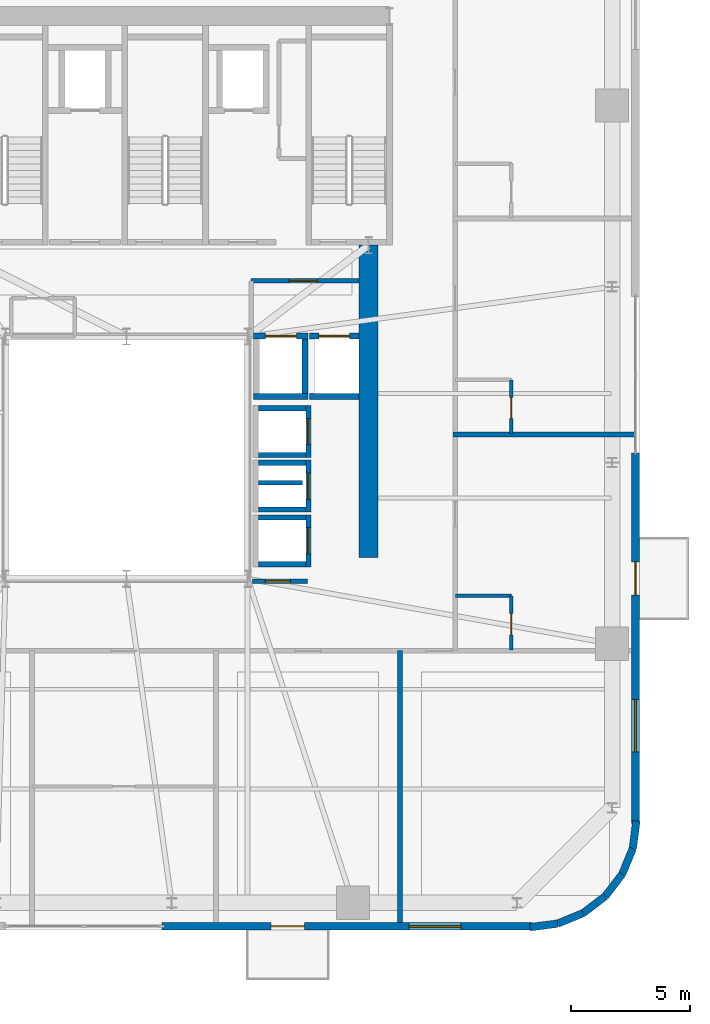
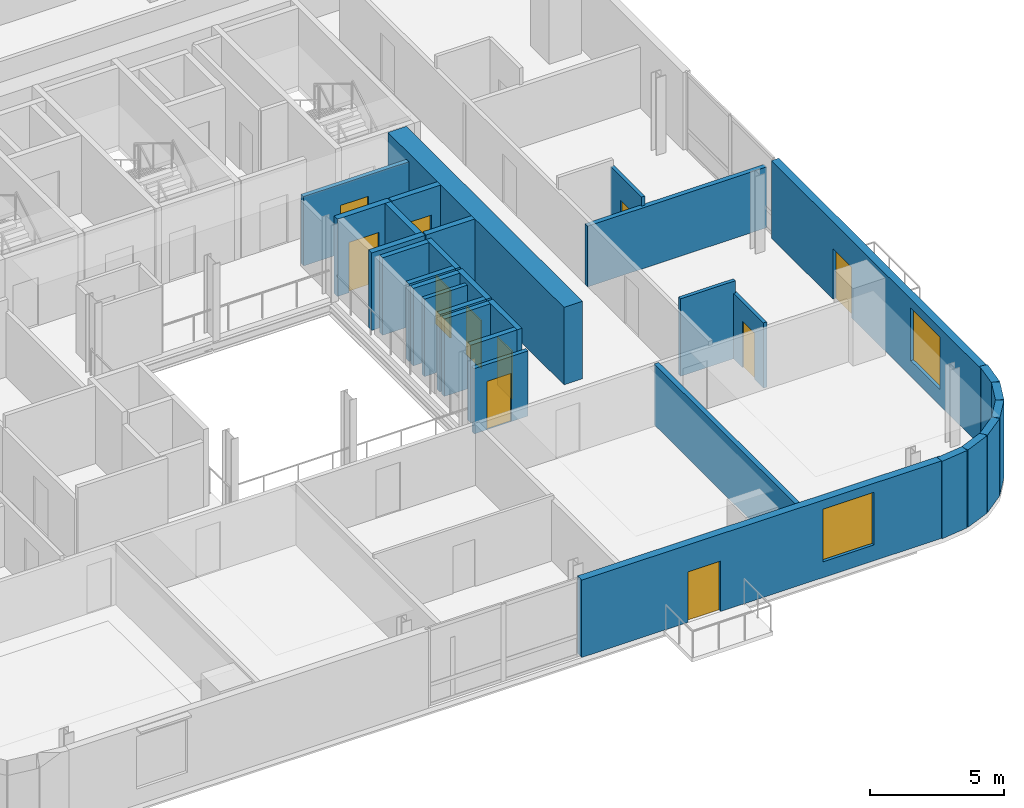
# One storey, part 9 of 16: 31 walls, 11 doors, 2 windows, 13 openings.
"""IFC4 building model written with IfcOpenShell, lengths in metres."""

from ifc_helpers import new_model, si_unit, direction, frame, frame_2d, origin, place, context, subcontext, project, spatial, rectangle, extrude, source, transform, mapped, material, layer, layer_set, type_object, element, fill, save


model = new_model("IFC4")

# Units and contexts
model_context = context("Model", 3, precision=1e-05, world=origin(), true_north=direction((0.0, 1.0)))
body_context = subcontext(model_context, "Body", "Model", "MODEL_VIEW")
ifc_project = project(units=[si_unit("LENGTHUNIT", "METRE"), si_unit("AREAUNIT", "SQUARE_METRE"), si_unit("VOLUMEUNIT", "CUBIC_METRE"), si_unit("PLANEANGLEUNIT", "RADIAN"), si_unit("MASSUNIT", "GRAM", prefix="KILO")], contexts=[model_context])

# Site, building, storey
site_placement = place(None, origin())
site = spatial("IfcSite", under=ifc_project, at=site_placement, CompositionType="ELEMENT")
building_placement = place(site_placement, origin())
building = spatial("IfcBuilding", under=site, at=building_placement, Name="Vardaveli Station Tower", CompositionType="ELEMENT")
storey_placement = place(building_placement, frame((0.0, 0.0, 192.300048828125)))
storey = spatial("IfcBuildingStorey", under=building, at=storey_placement, Name="L49", CompositionType="ELEMENT", Elevation=192.300048828125)

# Wall
ifc_material_1 = material(Name="Concrete C50/60", Category="concrete")
ifc_layer_1 = layer(ifc_material_1, 0.800048828125, Name="Concrete C50/60")
ifc_layer_set_1 = layer_set([ifc_layer_1], Name="Concrete C50/60")
wall_type_1 = type_object("IfcWallType", Name="WAL-CORE-800", PredefinedType="SHEAR", material=ifc_layer_set_1)
shared_shape_1 = source(origin(), body_context, "Body", "SweptSolid", [
    extrude(rectangle(XDim=13.14990234375, YDim=0.800048828125, at=frame_2d((6.574951171875, 0.0))), origin(), (0.0, 0.0, 1.0), 3.530029296875),
])
wall_1_placement = place(storey_placement, frame((46.5, 17.5, 0.0), z_axis=(0.0, 0.0, 1.0), x_axis=(0.0, 1.0, 0.0)))
element("IfcWall", 1, at=wall_1_placement, inside=storey, type_object=wall_type_1, Name="SW-L49-EAST2", PredefinedType="SHEAR", context=body_context, shape_type="MappedRepresentation", body=[
    mapped(shared_shape_1, transform((0.0, 0.0, 0.0), scale=1.0)),
])

# Wall, openings, door, window
ifc_material_2 = material(Name="Precast concrete C45/55", Category="concrete")
ifc_layer_2 = layer(ifc_material_2, 0.320068359375, Name="Precast concrete C45/55")
ifc_layer_set_2 = layer_set([ifc_layer_2], Name="Precast concrete C45/55")
wall_type_2 = type_object("IfcWallType", Name="WAL-EXT-STONE-320", PredefinedType="SOLIDWALL", material=ifc_layer_set_2)
shared_shape_2 = source(origin(), body_context, "Body", "SweptSolid", [
    extrude(rectangle(XDim=15.599853515625, YDim=0.320068359375, at=frame_2d((7.7998046875, 0.0))), origin(), (0.0, 0.0, 1.0), 3.530029296875),
])
wall_2_placement = place(storey_placement, frame((37.800048828125, 1.9599609375, 0.0), z_axis=(0.0, 0.0, 1.0), x_axis=(1.0, 0.0, 0.0)))
wall_2 = element("IfcWall", 2, at=wall_2_placement, inside=storey, type_object=wall_type_2, Name="EW-L49-S2", PredefinedType="SOLIDWALL", context=body_context, shape_type="MappedRepresentation", body=[
    mapped(shared_shape_2, transform((0.0, 0.0, 0.0), scale=1.0)),
])
shared_shape_3 = source(origin(), body_context, "Body", "SweptSolid", [
    extrude(rectangle(XDim=1.39990234375, YDim=2.300048828125, at=frame_2d((0.699951171875, 1.14990234375))), frame((0.0, 0.169921875, 0.0), z_axis=(0.0, -1.0, 0.0), x_axis=(1.0, 0.0, 0.0)), (0.0, 0.0, 1.0), 0.340087890625),
])
opening_1_placement = place(wall_2_placement, frame((4.589599609375, 0.0, 0.0)))
opening_1 = element("IfcOpeningElement", 3, at=opening_1_placement, cuts=wall_2, Name="Opening D-09", PredefinedType="OPENING", context=body_context, shape_type="MappedRepresentation", body=[
    mapped(shared_shape_3, transform((0.0, 0.0, 0.0), scale=1.0)),
])
shared_shape_4 = source(origin(), body_context, "Body", "SweptSolid", [
    extrude(rectangle(XDim=2.199951171875, YDim=2.39990234375, at=frame_2d((1.10009765625, 1.199951171875))), frame((0.0, 0.169921875, 0.0), z_axis=(0.0, -1.0, 0.0), x_axis=(1.0, 0.0, 0.0)), (0.0, 0.0, 1.0), 0.340087890625),
])
opening_2_placement = place(wall_2_placement, frame((10.39501953125, 0.0, 0.719970703125)))
opening_2 = element("IfcOpeningElement", 4, at=opening_2_placement, cuts=wall_2, Name="Opening W-03", PredefinedType="OPENING", context=body_context, shape_type="MappedRepresentation", body=[
    mapped(shared_shape_4, transform((0.0, 0.0, 0.0), scale=1.0)),
])
ifc_material_3 = material(Name="Thermally broken aluminium glass", Category="aluminium")
door_type_1 = type_object("IfcDoorType", Name="DR-LOG-1400x2300", OperationType="DOUBLE_DOOR_SLIDING", PredefinedType="DOOR", material=ifc_material_3)
shared_shape_5 = source(origin(), body_context, "Body", "SweptSolid", [
    extrude(rectangle(XDim=1.39990234375, YDim=2.300048828125, at=frame_2d((0.699951171875, 1.14990234375))), frame((0.0, 0.02490234375, 0.0), z_axis=(0.0, -1.0, 0.0), x_axis=(1.0, 0.0, 0.0)), (0.0, 0.0, 1.0), 0.050048828125),
])
door_1_placement = place(opening_1_placement, frame((1.39990234375, 0.0, 0.0), z_axis=(0.0, 0.0, 1.0), x_axis=(-1.0, 0.0, 0.0)))
door_1 = element("IfcDoor", 5, at=door_1_placement, inside=storey, type_object=door_type_1, Name="DLG-L49-S", OperationType="DOUBLE_DOOR_SLIDING", OverallHeight=2.300048828125, OverallWidth=1.39990234375, PredefinedType="DOOR", context=body_context, shape_type="MappedRepresentation", body=[
    mapped(shared_shape_5, transform((0.0, 0.0, 0.0), scale=1.0)),
])
fill(opening_1, door_1)
ifc_material_4 = material(Name="Low-E solar-control glass", Category="glass")
window_type = type_object("IfcWindowType", Name="WIN-LOG-2200x2400", PartitioningType="SINGLE_PANEL", PredefinedType="WINDOW", material=ifc_material_4)
shared_shape_6 = source(origin(), body_context, "Body", "SweptSolid", [
    extrude(rectangle(XDim=2.199951171875, YDim=2.39990234375, at=frame_2d((1.10009765625, 1.199951171875))), frame((0.0, 0.030029296875, 0.0), z_axis=(0.0, -1.0, 0.0), x_axis=(1.0, 0.0, 0.0)), (0.0, 0.0, 1.0), 0.06005859375),
])
window_1_placement = place(opening_2_placement, origin())
window_1 = element("IfcWindow", 6, at=window_1_placement, inside=storey, type_object=window_type, Name="WN-L49-S2", OverallHeight=2.39990234375, OverallWidth=2.199951171875, PartitioningType="SINGLE_PANEL", PredefinedType="WINDOW", context=body_context, shape_type="MappedRepresentation", body=[
    mapped(shared_shape_6, transform((0.0, 0.0, 0.0), scale=1.0)),
])
fill(opening_2, window_1)

wall_3_placement = place(storey_placement, frame((57.739990234375, 6.300048828125, 0.0), z_axis=(0.0, 0.0, 1.0), x_axis=(0.0, 1.0, 0.0)))
wall_3 = element("IfcWall", 7, at=wall_3_placement, inside=storey, type_object=wall_type_2, Name="EW-L49-E1", PredefinedType="SOLIDWALL", context=body_context, shape_type="MappedRepresentation", body=[
    mapped(shared_shape_2, transform((0.0, 0.0, 0.0), scale=1.0)),
])
opening_3_placement = place(wall_3_placement, frame((9.6103515625, 0.0, 0.0)))
opening_3 = element("IfcOpeningElement", 8, at=opening_3_placement, cuts=wall_3, Name="Opening D-09", PredefinedType="OPENING", context=body_context, shape_type="MappedRepresentation", body=[
    mapped(shared_shape_3, transform((0.0, 0.0, 0.0), scale=1.0)),
])
opening_4_placement = place(wall_3_placement, frame((3.0048828125, 0.0, 0.719970703125)))
opening_4 = element("IfcOpeningElement", 9, at=opening_4_placement, cuts=wall_3, Name="Opening W-03", PredefinedType="OPENING", context=body_context, shape_type="MappedRepresentation", body=[
    mapped(shared_shape_4, transform((0.0, 0.0, 0.0), scale=1.0)),
])
door_2_placement = place(opening_3_placement, frame((1.39990234375, 0.0, 0.0), z_axis=(0.0, 0.0, 1.0), x_axis=(-1.0, 0.0, 0.0)))
door_2 = element("IfcDoor", 10, at=door_2_placement, inside=storey, type_object=door_type_1, Name="DLG-L49-E", OperationType="DOUBLE_DOOR_SLIDING", OverallHeight=2.300048828125, OverallWidth=1.39990234375, PredefinedType="DOOR", context=body_context, shape_type="MappedRepresentation", body=[
    mapped(shared_shape_5, transform((0.0, 0.0, 0.0), scale=1.0)),
])
fill(opening_3, door_2)
window_2_placement = place(opening_4_placement, origin())
window_2 = element("IfcWindow", 11, at=window_2_placement, inside=storey, type_object=window_type, Name="WN-L49-E1", OverallHeight=2.39990234375, OverallWidth=2.199951171875, PartitioningType="SINGLE_PANEL", PredefinedType="WINDOW", context=body_context, shape_type="MappedRepresentation", body=[
    mapped(shared_shape_6, transform((0.0, 0.0, 0.0), scale=1.0)),
])
fill(opening_4, window_2)

# Walls
shared_shape_7 = source(origin(), body_context, "Body", "SweptSolid", [
    extrude(rectangle(XDim=1.170654296875, YDim=0.320068359375, at=frame_2d((0.58544921875, 0.0))), origin(), (0.0, 0.0, 1.0), 3.530029296875),
])
wall_4_placement = place(storey_placement, frame((57.62548828125, 5.23974609375, 0.0), z_axis=(0.0, 0.0, 1.0), x_axis=(0.128269133229, 0.991739395941, 0.0)))
element("IfcWall", 12, at=wall_4_placement, inside=storey, type_object=wall_type_2, Name="EW-L49-CR2-6", PredefinedType="SOLIDWALL", context=body_context, shape_type="MappedRepresentation", body=[
    mapped(shared_shape_7, transform((0.0, 0.0, 0.0), scale=1.0)),
])
shared_shape_8 = source(origin(), body_context, "Body", "SweptSolid", [
    extrude(rectangle(XDim=1.1689453125, YDim=0.320068359375, at=frame_2d((0.58447265625, 0.0))), origin(), (0.0, 0.0, 1.0), 3.530029296875),
])
for number, where, z_axis, x_axis, name in (
    (13, (56.46875, 3.231201171875, 0.0), (0.0, 0.0, 1.0), (0.608387696831, 0.793639975269, 0.0), "EW-L49-CR2-4"),
    (14, (57.179931640625, 4.158935546875, 0.0), (0.0, 0.0, 1.0), (0.381127904695, 0.924522320046, 0.0), "EW-L49-CR2-5"),
):
    element("IfcWall", number, at=place(storey_placement, frame(where, z_axis=z_axis, x_axis=x_axis)), inside=storey, type_object=wall_type_2, Name=name, PredefinedType="SOLIDWALL", context=body_context, shape_type="MappedRepresentation", body=[
        mapped(shared_shape_8, transform((0.0, 0.0, 0.0), scale=1.0)),
    ])
shared_shape_9 = source(origin(), body_context, "Body", "SweptSolid", [
    extrude(rectangle(XDim=1.168701171875, YDim=0.320068359375, at=frame_2d((0.58447265625, 0.0))), origin(), (0.0, 0.0, 1.0), 3.530029296875),
])
wall_5_placement = place(storey_placement, frame((55.541259765625, 2.520263671875, 0.0), z_axis=(0.0, 0.0, 1.0), x_axis=(0.793663520347, 0.608356981114, 0.0)))
element("IfcWall", 15, at=wall_5_placement, inside=storey, type_object=wall_type_2, Name="EW-L49-CR2-3", PredefinedType="SOLIDWALL", context=body_context, shape_type="MappedRepresentation", body=[
    mapped(shared_shape_9, transform((0.0, 0.0, 0.0), scale=1.0)),
])
shared_shape_10 = source(origin(), body_context, "Body", "SweptSolid", [
    extrude(rectangle(XDim=1.16943359375, YDim=0.320068359375, at=frame_2d((0.584716796875, 0.0))), origin(), (0.0, 0.0, 1.0), 3.530029296875),
])
wall_6_placement = place(storey_placement, frame((54.460205078125, 2.074462890625, 0.0), z_axis=(0.0, 0.0, 1.0), x_axis=(0.924479075121, 0.381232789334, 0.0)))
element("IfcWall", 16, at=wall_6_placement, inside=storey, type_object=wall_type_2, Name="EW-L49-CR2-2", PredefinedType="SOLIDWALL", context=body_context, shape_type="MappedRepresentation", body=[
    mapped(shared_shape_10, transform((0.0, 0.0, 0.0), scale=1.0)),
])
shared_shape_11 = source(origin(), body_context, "Body", "SweptSolid", [
    extrude(rectangle(XDim=1.170166015625, YDim=0.320068359375, at=frame_2d((0.5849609375, 0.0))), origin(), (0.0, 0.0, 1.0), 3.530029296875),
])
wall_7_placement = place(storey_placement, frame((53.299560546875, 1.924560546875, 0.0), z_axis=(0.0, 0.0, 1.0), x_axis=(0.991762485493, 0.128090485085, 0.0)))
element("IfcWall", 17, at=wall_7_placement, inside=storey, type_object=wall_type_2, Name="EW-L49-CR2-1", PredefinedType="SOLIDWALL", context=body_context, shape_type="MappedRepresentation", body=[
    mapped(shared_shape_11, transform((0.0, 0.0, 0.0), scale=1.0)),
])
ifc_material_5 = material(Name="Concrete C40/50", Category="concrete")
ifc_layer_3 = layer(ifc_material_5, 0.219970703125, Name="Concrete C40/50")
ifc_layer_set_3 = layer_set([ifc_layer_3], Name="Concrete C40/50")
wall_type_3 = type_object("IfcWallType", Name="WAL-FFLOBBY-220", PredefinedType="SOLIDWALL", material=ifc_layer_set_3)
shared_shape_12 = source(origin(), body_context, "Body", "SweptSolid", [
    extrude(rectangle(XDim=2.0, YDim=0.219970703125, at=frame_2d((1.0, 0.0))), origin(), (0.0, 0.0, 1.0), 3.530029296875),
])
for number, where, z_axis, x_axis, name in (
    (18, (41.85009765625, 21.81494140625, 0.0), (0.0, 0.0, 1.0), (1.0, 0.0, 0.0), "SHW-HL3-01-L49-S"),
    (19, (41.85009765625, 23.784912109375, 0.0), (0.0, 0.0, 1.0), (1.0, 0.0, 0.0), "SHW-HL3-01-L49-N"),
    (20, (41.85009765625, 19.514892578125, 0.0), (0.0, 0.0, 1.0), (1.0, 0.0, 0.0), "SHW-HL3-02-L49-S"),
    (21, (41.85009765625, 21.485107421875, 0.0), (0.0, 0.0, 1.0), (1.0, 0.0, 0.0), "SHW-HL3-02-L49-N"),
    (22, (41.85009765625, 17.215087890625, 0.0), (0.0, 0.0, 1.0), (1.0, 0.0, 0.0), "SHW-HL3-03-L49-S"),
    (23, (41.85009765625, 19.18505859375, 0.0), (0.0, 0.0, 1.0), (1.0, 0.0, 0.0), "SHW-HL3-03-L49-N"),
):
    element("IfcWall", number, at=place(storey_placement, frame(where, z_axis=z_axis, x_axis=x_axis)), inside=storey, type_object=wall_type_3, Name=name, PredefinedType="SOLIDWALL", context=body_context, shape_type="MappedRepresentation", body=[
        mapped(shared_shape_12, transform((0.0, 0.0, 0.0), scale=1.0)),
    ])

# Wall, opening, door
shared_shape_13 = source(origin(), body_context, "Body", "SweptSolid", [
    extrude(rectangle(XDim=2.18994140625, YDim=0.219970703125, at=frame_2d((1.094970703125, 0.0))), origin(), (0.0, 0.0, 1.0), 3.530029296875),
])
wall_8_placement = place(storey_placement, frame((43.9599609375, 21.705078125, 0.0), z_axis=(0.0, 0.0, 1.0), x_axis=(0.0, 1.0, 0.0)))
wall_8 = element("IfcWall", 24, at=wall_8_placement, inside=storey, type_object=wall_type_3, Name="SHW-HL3-01-L49-E", PredefinedType="SOLIDWALL", context=body_context, shape_type="MappedRepresentation", body=[
    mapped(shared_shape_13, transform((0.0, 0.0, 0.0), scale=1.0)),
])
shared_shape_14 = source(origin(), body_context, "Body", "SweptSolid", [
    extrude(rectangle(XDim=1.10009765625, YDim=2.199951171875, at=frame_2d((0.550048828125, 1.10009765625))), frame((0.0, 0.1201171875, 0.0), z_axis=(0.0, -1.0, 0.0), x_axis=(1.0, 0.0, 0.0)), (0.0, 0.0, 1.0), 0.239990234375),
])
opening_5_placement = place(wall_8_placement, frame((0.544921875, 0.0, 0.0)))
opening_5 = element("IfcOpeningElement", 25, at=opening_5_placement, cuts=wall_8, Name="Opening LD-01", PredefinedType="OPENING", context=body_context, shape_type="MappedRepresentation", body=[
    mapped(shared_shape_14, transform((0.0, 0.0, 0.0), scale=1.0)),
])
ifc_material_6 = material(Name="Brushed stainless steel", Category="steel")
door_type_2 = type_object("IfcDoorType", Name="DR-LD-1100x2200", OperationType="DOUBLE_DOOR_SLIDING", PredefinedType="DOOR", material=ifc_material_6)
shared_shape_15 = source(origin(), body_context, "Body", "SweptSolid", [
    extrude(rectangle(XDim=1.10009765625, YDim=2.199951171875, at=frame_2d((0.550048828125, 1.10009765625))), frame((0.0, 0.02490234375, 0.0), z_axis=(0.0, -1.0, 0.0), x_axis=(1.0, 0.0, 0.0)), (0.0, 0.0, 1.0), 0.050048828125),
])
door_3_placement = place(opening_5_placement, origin())
door_3 = element("IfcDoor", 26, at=door_3_placement, inside=storey, type_object=door_type_2, Name="LD-HL3-01-L49", OperationType="DOUBLE_DOOR_SLIDING", OverallHeight=2.199951171875, OverallWidth=1.10009765625, PredefinedType="DOOR", context=body_context, shape_type="MappedRepresentation", body=[
    mapped(shared_shape_15, transform((0.0, 0.0, 0.0), scale=1.0)),
])
fill(opening_5, door_3)

wall_9_placement = place(storey_placement, frame((43.9599609375, 19.405029296875, 0.0), z_axis=(0.0, 0.0, 1.0), x_axis=(0.0, 1.0, 0.0)))
wall_9 = element("IfcWall", 27, at=wall_9_placement, inside=storey, type_object=wall_type_3, Name="SHW-HL3-02-L49-E", PredefinedType="SOLIDWALL", context=body_context, shape_type="MappedRepresentation", body=[
    mapped(shared_shape_13, transform((0.0, 0.0, 0.0), scale=1.0)),
])
opening_6_placement = place(wall_9_placement, frame((0.544921875, 0.0, 0.0)))
opening_6 = element("IfcOpeningElement", 28, at=opening_6_placement, cuts=wall_9, Name="Opening LD-01", PredefinedType="OPENING", context=body_context, shape_type="MappedRepresentation", body=[
    mapped(shared_shape_14, transform((0.0, 0.0, 0.0), scale=1.0)),
])
door_4_placement = place(opening_6_placement, origin())
door_4 = element("IfcDoor", 29, at=door_4_placement, inside=storey, type_object=door_type_2, Name="LD-HL3-02-L49", OperationType="DOUBLE_DOOR_SLIDING", OverallHeight=2.199951171875, OverallWidth=1.10009765625, PredefinedType="DOOR", context=body_context, shape_type="MappedRepresentation", body=[
    mapped(shared_shape_15, transform((0.0, 0.0, 0.0), scale=1.0)),
])
fill(opening_6, door_4)

wall_10_placement = place(storey_placement, frame((43.9599609375, 17.10498046875, 0.0), z_axis=(0.0, 0.0, 1.0), x_axis=(0.0, 1.0, 0.0)))
wall_10 = element("IfcWall", 30, at=wall_10_placement, inside=storey, type_object=wall_type_3, Name="SHW-HL3-03-L49-E", PredefinedType="SOLIDWALL", context=body_context, shape_type="MappedRepresentation", body=[
    mapped(shared_shape_13, transform((0.0, 0.0, 0.0), scale=1.0)),
])
opening_7_placement = place(wall_10_placement, frame((0.544921875, 0.0, 0.0)))
opening_7 = element("IfcOpeningElement", 31, at=opening_7_placement, cuts=wall_10, Name="Opening LD-01", PredefinedType="OPENING", context=body_context, shape_type="MappedRepresentation", body=[
    mapped(shared_shape_14, transform((0.0, 0.0, 0.0), scale=1.0)),
])
door_5_placement = place(opening_7_placement, origin())
door_5 = element("IfcDoor", 32, at=door_5_placement, inside=storey, type_object=door_type_2, Name="LD-HL3-03-L49", OperationType="DOUBLE_DOOR_SLIDING", OverallHeight=2.199951171875, OverallWidth=1.10009765625, PredefinedType="DOOR", context=body_context, shape_type="MappedRepresentation", body=[
    mapped(shared_shape_15, transform((0.0, 0.0, 0.0), scale=1.0)),
])
fill(opening_7, door_5)

# Wall
ifc_layer_4 = layer(ifc_material_5, 0.25, Name="Concrete C40/50")
ifc_layer_set_4 = layer_set([ifc_layer_4], Name="Concrete C40/50")
wall_type_4 = type_object("IfcWallType", Name="WAL-SHAFT-250", PredefinedType="SOLIDWALL", material=ifc_layer_set_4)
shared_shape_16 = source(origin(), body_context, "Body", "SweptSolid", [
    extrude(rectangle(XDim=2.300048828125, YDim=0.25, at=frame_2d((1.14990234375, 0.0))), origin(), (0.0, 0.0, 1.0), 3.530029296875),
])
wall_11_placement = place(storey_placement, frame((41.64990234375, 24.27490234375, 0.0), z_axis=(0.0, 0.0, 1.0), x_axis=(1.0, 0.0, 0.0)))
element("IfcWall", 33, at=wall_11_placement, inside=storey, type_object=wall_type_4, Name="SHW-SRV-01-L49-S", PredefinedType="SOLIDWALL", context=body_context, shape_type="MappedRepresentation", body=[
    mapped(shared_shape_16, transform((0.0, 0.0, 0.0), scale=1.0)),
])

# Wall, opening, door
wall_12_placement = place(storey_placement, frame((41.64990234375, 26.824951171875, 0.0), z_axis=(0.0, 0.0, 1.0), x_axis=(1.0, 0.0, 0.0)))
wall_12 = element("IfcWall", 34, at=wall_12_placement, inside=storey, type_object=wall_type_4, Name="SHW-SRV-01-L49-N", PredefinedType="SOLIDWALL", context=body_context, shape_type="MappedRepresentation", body=[
    mapped(shared_shape_16, transform((0.0, 0.0, 0.0), scale=1.0)),
])
shared_shape_17 = source(origin(), body_context, "Body", "SweptSolid", [
    extrude(rectangle(XDim=1.300048828125, YDim=2.300048828125, at=frame_2d((0.64990234375, 1.14990234375))), frame((0.0, 0.135009765625, 0.0), z_axis=(0.0, -1.0, 0.0), x_axis=(1.0, 0.0, 0.0)), (0.0, 0.0, 1.0), 0.27001953125),
])
opening_8_placement = place(wall_12_placement, frame((0.5, 0.0, 0.0)))
opening_8 = element("IfcOpeningElement", 35, at=opening_8_placement, cuts=wall_12, Name="Opening LD-03", PredefinedType="OPENING", context=body_context, shape_type="MappedRepresentation", body=[
    mapped(shared_shape_17, transform((0.0, 0.0, 0.0), scale=1.0)),
])
door_type_3 = type_object("IfcDoorType", Name="DR-LD-1300x2300", OperationType="DOUBLE_DOOR_SLIDING", PredefinedType="DOOR", material=ifc_material_6)
shared_shape_18 = source(origin(), body_context, "Body", "SweptSolid", [
    extrude(rectangle(XDim=1.300048828125, YDim=2.300048828125, at=frame_2d((0.64990234375, 1.14990234375))), frame((0.0, 0.02490234375, 0.0), z_axis=(0.0, -1.0, 0.0), x_axis=(1.0, 0.0, 0.0)), (0.0, 0.0, 1.0), 0.050048828125),
])
door_6_placement = place(opening_8_placement, origin())
door_6 = element("IfcDoor", 36, at=door_6_placement, inside=storey, type_object=door_type_3, Name="LD-SRV-01-L49", OperationType="DOUBLE_DOOR_SLIDING", OverallHeight=2.300048828125, OverallWidth=1.300048828125, PredefinedType="DOOR", context=body_context, shape_type="MappedRepresentation", body=[
    mapped(shared_shape_18, transform((0.0, 0.0, 0.0), scale=1.0)),
])
fill(opening_8, door_6)

# Walls
wall_13_placement = place(storey_placement, frame((43.824951171875, 24.39990234375, 0.0), z_axis=(0.0, 0.0, 1.0), x_axis=(0.0, 1.0, 0.0)))
element("IfcWall", 37, at=wall_13_placement, inside=storey, type_object=wall_type_4, Name="SHW-SRV-01-L49-E", PredefinedType="SOLIDWALL", context=body_context, shape_type="MappedRepresentation", body=[
    mapped(shared_shape_16, transform((0.0, 0.0, 0.0), scale=1.0)),
])
shared_shape_19 = source(origin(), body_context, "Body", "SweptSolid", [
    extrude(rectangle(XDim=2.10009765625, YDim=0.25, at=frame_2d((1.050048828125, 0.0))), origin(), (0.0, 0.0, 1.0), 3.530029296875),
])
wall_14_placement = place(storey_placement, frame((44.0, 24.27490234375, 0.0), z_axis=(0.0, 0.0, 1.0), x_axis=(1.0, 0.0, 0.0)))
element("IfcWall", 38, at=wall_14_placement, inside=storey, type_object=wall_type_4, Name="SHW-SRV-02-L49-S", PredefinedType="SOLIDWALL", context=body_context, shape_type="MappedRepresentation", body=[
    mapped(shared_shape_19, transform((0.0, 0.0, 0.0), scale=1.0)),
])

# Wall, opening, door
wall_15_placement = place(storey_placement, frame((44.0, 26.824951171875, 0.0), z_axis=(0.0, 0.0, 1.0), x_axis=(1.0, 0.0, 0.0)))
wall_15 = element("IfcWall", 39, at=wall_15_placement, inside=storey, type_object=wall_type_4, Name="SHW-SRV-02-L49-N", PredefinedType="SOLIDWALL", context=body_context, shape_type="MappedRepresentation", body=[
    mapped(shared_shape_19, transform((0.0, 0.0, 0.0), scale=1.0)),
])
opening_9_placement = place(wall_15_placement, frame((0.39990234375, 0.0, 0.0)))
opening_9 = element("IfcOpeningElement", 40, at=opening_9_placement, cuts=wall_15, Name="Opening LD-03", PredefinedType="OPENING", context=body_context, shape_type="MappedRepresentation", body=[
    mapped(shared_shape_17, transform((0.0, 0.0, 0.0), scale=1.0)),
])
door_7_placement = place(opening_9_placement, origin())
door_7 = element("IfcDoor", 41, at=door_7_placement, inside=storey, type_object=door_type_3, Name="LD-SRV-02-L49", OperationType="DOUBLE_DOOR_SLIDING", OverallHeight=2.300048828125, OverallWidth=1.300048828125, PredefinedType="DOOR", context=body_context, shape_type="MappedRepresentation", body=[
    mapped(shared_shape_18, transform((0.0, 0.0, 0.0), scale=1.0)),
])
fill(opening_9, door_7)

ifc_material_7 = material(Name="Fire-rated gypsum stud partition")
ifc_layer_5 = layer(ifc_material_7, 0.179931640625, Name="Fire-rated gypsum stud partition")
ifc_layer_set_5 = layer_set([ifc_layer_5], Name="Fire-rated gypsum stud partition")
wall_type_5 = type_object("IfcWallType", Name="WAL-CORR-180", PredefinedType="PARTITIONING", material=ifc_layer_set_5)
shared_shape_20 = source(origin(), body_context, "Body", "SweptSolid", [
    extrude(rectangle(XDim=4.5478515625, YDim=0.179931640625, at=frame_2d((2.27392578125, 0.0))), origin(), (0.0, 0.0, 1.0), 3.161865234375),
])
wall_16_placement = place(storey_placement, frame((41.550048828125, 29.14990234375, 0.0), z_axis=(0.0, 0.0, 1.0), x_axis=(1.0, 0.0, 0.0)))
wall_16 = element("IfcWall", 42, at=wall_16_placement, inside=storey, type_object=wall_type_5, Name="W-L49-SVFN", PredefinedType="PARTITIONING", context=body_context, shape_type="MappedRepresentation", body=[
    mapped(shared_shape_20, transform((0.0, 0.0, 0.0), scale=1.0)),
])
shared_shape_21 = source(origin(), body_context, "Body", "SweptSolid", [
    extrude(rectangle(XDim=1.199951171875, YDim=2.199951171875, at=frame_2d((0.60009765625, 1.10009765625))), frame((0.0, 0.10009765625, 0.0), z_axis=(0.0, -1.0, 0.0), x_axis=(1.0, 0.0, 0.0)), (0.0, 0.0, 1.0), 0.199951171875),
])
opening_10_placement = place(wall_16_placement, frame((1.60009765625, 0.0, 0.0)))
opening_10 = element("IfcOpeningElement", 43, at=opening_10_placement, cuts=wall_16, Name="Opening D-03", PredefinedType="OPENING", context=body_context, shape_type="MappedRepresentation", body=[
    mapped(shared_shape_21, transform((0.0, 0.0, 0.0), scale=1.0)),
])
ifc_material_8 = material(Name="Steel smokeproof fire doorset", Category="steel")
door_type_4 = type_object("IfcDoorType", Name="DR-FFL-1200x2200", OperationType="NOTDEFINED", PredefinedType="DOOR", material=ifc_material_8)
shared_shape_22 = source(origin(), body_context, "Body", "SweptSolid", [
    extrude(rectangle(XDim=1.199951171875, YDim=2.199951171875, at=frame_2d((0.60009765625, 1.10009765625))), frame((0.0, 0.02490234375, 0.0), z_axis=(0.0, -1.0, 0.0), x_axis=(1.0, 0.0, 0.0)), (0.0, 0.0, 1.0), 0.050048828125),
])
door_8_placement = place(opening_10_placement, origin())
door_8 = element("IfcDoor", 44, at=door_8_placement, inside=storey, type_object=door_type_4, Name="D-L49-SVF", OperationType="SINGLE_SWING_RIGHT", OverallHeight=2.199951171875, OverallWidth=1.199951171875, PredefinedType="DOOR", context=body_context, shape_type="MappedRepresentation", body=[
    mapped(shared_shape_22, transform((0.0, 0.0, 0.0), scale=1.0)),
])
fill(opening_10, door_8)

shared_shape_23 = source(origin(), body_context, "Body", "SweptSolid", [
    extrude(rectangle(XDim=2.329833984375, YDim=0.179931640625, at=frame_2d((1.1650390625, 0.0))), origin(), (0.0, 0.0, 1.0), 2.971923828125),
])
wall_17_placement = place(storey_placement, frame((41.60009765625, 16.5, 0.0), z_axis=(0.0, 0.0, 1.0), x_axis=(1.0, 0.0, 0.0)))
wall_17 = element("IfcWall", 45, at=wall_17_placement, inside=storey, type_object=wall_type_5, Name="W-L49-ATE-S", PredefinedType="PARTITIONING", context=body_context, shape_type="MappedRepresentation", body=[
    mapped(shared_shape_23, transform((0.0, 0.0, 0.0), scale=1.0)),
])
shared_shape_24 = source(origin(), body_context, "Body", "SweptSolid", [
    extrude(rectangle(XDim=1.050048828125, YDim=2.199951171875, at=frame_2d((0.52490234375, 1.10009765625))), frame((0.0, 0.10009765625, 0.0), z_axis=(0.0, -1.0, 0.0), x_axis=(1.0, 0.0, 0.0)), (0.0, 0.0, 1.0), 0.199951171875),
])
opening_11_placement = place(wall_17_placement, frame((0.550048828125, 0.0, 0.0)))
opening_11 = element("IfcOpeningElement", 46, at=opening_11_placement, cuts=wall_17, Name="Opening D-05", PredefinedType="OPENING", context=body_context, shape_type="MappedRepresentation", body=[
    mapped(shared_shape_24, transform((0.0, 0.0, 0.0), scale=1.0)),
])
ifc_material_9 = material(Name="Walnut veneer acoustic fire door")
door_type_5 = type_object("IfcDoorType", Name="DR-SUITE-1050x2200", OperationType="NOTDEFINED", PredefinedType="DOOR", material=ifc_material_9)
shared_shape_25 = source(origin(), body_context, "Body", "SweptSolid", [
    extrude(rectangle(XDim=1.050048828125, YDim=2.199951171875, at=frame_2d((0.52490234375, 1.10009765625))), frame((0.0, 0.02490234375, 0.0), z_axis=(0.0, -1.0, 0.0), x_axis=(1.0, 0.0, 0.0)), (0.0, 0.0, 1.0), 0.050048828125),
])
door_9_placement = place(opening_11_placement, origin())
door_9 = element("IfcDoor", 47, at=door_9_placement, inside=storey, type_object=door_type_5, Name="D-L49-ATE1", OperationType="SINGLE_SWING_RIGHT", OverallHeight=2.199951171875, OverallWidth=1.050048828125, PredefinedType="DOOR", context=body_context, shape_type="MappedRepresentation", body=[
    mapped(shared_shape_25, transform((0.0, 0.0, 0.0), scale=1.0)),
])
fill(opening_11, door_9)

ifc_material_10 = material(Name="Moisture-resistant stud partition")
ifc_layer_6 = layer(ifc_material_10, 0.14990234375, Name="Moisture-resistant stud partition")
ifc_layer_set_6 = layer_set([ifc_layer_6], Name="Moisture-resistant stud partition")
wall_type_6 = type_object("IfcWallType", Name="WAL-WET-150", PredefinedType="PARTITIONING", material=ifc_layer_set_6)
shared_shape_26 = source(origin(), body_context, "Body", "SweptSolid", [
    extrude(rectangle(XDim=2.289794921875, YDim=0.14990234375, at=frame_2d((1.14501953125, 0.0))), origin(), (0.0, 0.0, 1.0), 2.971923828125),
])
wall_18_placement = place(storey_placement, frame((52.510009765625, 13.590087890625, 0.0), z_axis=(0.0, 0.0, 1.0), x_axis=(0.0, 1.0, 0.0)))
wall_18 = element("IfcWall", 48, at=wall_18_placement, inside=storey, type_object=wall_type_6, Name="W-L49-BE1-E", PredefinedType="PARTITIONING", context=body_context, shape_type="MappedRepresentation", body=[
    mapped(shared_shape_26, transform((0.0, 0.0, 0.0), scale=1.0)),
])
shared_shape_27 = source(origin(), body_context, "Body", "SweptSolid", [
    extrude(rectangle(XDim=0.89990234375, YDim=2.10009765625, at=frame_2d((0.449951171875, 1.050048828125))), frame((0.0, 0.0849609375, 0.0), z_axis=(0.0, -1.0, 0.0), x_axis=(1.0, 0.0, 0.0)), (0.0, 0.0, 1.0), 0.169921875),
])
opening_12_placement = place(wall_18_placement, frame((0.64990234375, 0.0, 0.0)))
opening_12 = element("IfcOpeningElement", 49, at=opening_12_placement, cuts=wall_18, Name="Opening D-08", PredefinedType="OPENING", context=body_context, shape_type="MappedRepresentation", body=[
    mapped(shared_shape_27, transform((0.0, 0.0, 0.0), scale=1.0)),
])
ifc_material_11 = material(Name="Moisture-resistant oak door")
door_type_6 = type_object("IfcDoorType", Name="DR-BATH-900x2100", OperationType="NOTDEFINED", PredefinedType="DOOR", material=ifc_material_11)
shared_shape_28 = source(origin(), body_context, "Body", "SweptSolid", [
    extrude(rectangle(XDim=0.89990234375, YDim=2.10009765625, at=frame_2d((0.449951171875, 1.050048828125))), frame((0.0, 0.02490234375, 0.0), z_axis=(0.0, -1.0, 0.0), x_axis=(1.0, 0.0, 0.0)), (0.0, 0.0, 1.0), 0.050048828125),
])
door_10_placement = place(opening_12_placement, origin())
door_10 = element("IfcDoor", 50, at=door_10_placement, inside=storey, type_object=door_type_6, Name="D-L49-BE1", OperationType="SINGLE_SWING_LEFT", OverallHeight=2.10009765625, OverallWidth=0.89990234375, PredefinedType="DOOR", context=body_context, shape_type="MappedRepresentation", body=[
    mapped(shared_shape_28, transform((0.0, 0.0, 0.0), scale=1.0)),
])
fill(opening_12, door_10)

# Walls
ifc_material_12 = material(Name="Acoustic twin-stud gypsum partition")
ifc_layer_7 = layer(ifc_material_12, 0.199951171875, Name="Acoustic twin-stud gypsum partition")
ifc_layer_set_7 = layer_set([ifc_layer_7], Name="Acoustic twin-stud gypsum partition")
wall_type_7 = type_object("IfcWallType", Name="WAL-PARTY-200", PredefinedType="PARTITIONING", material=ifc_layer_set_7)
shared_shape_29 = source(origin(), body_context, "Body", "SweptSolid", [
    extrude(rectangle(XDim=7.719970703125, YDim=0.199951171875, at=frame_2d((3.85986328125, 0.0))), origin(), (0.0, 0.0, 1.0), 2.77197265625),
])
wall_19_placement = place(storey_placement, frame((50.050048828125, 22.673095703125, 0.0), z_axis=(0.0, 0.0, 1.0), x_axis=(1.0, 0.0, 0.0)))
element("IfcWall", 51, at=wall_19_placement, inside=storey, type_object=wall_type_7, Name="W-L49-PE1", PredefinedType="PARTITIONING", context=body_context, shape_type="MappedRepresentation", body=[
    mapped(shared_shape_29, transform((0.0, 0.0, 0.0), scale=1.0)),
])
shared_shape_30 = source(origin(), body_context, "Body", "SweptSolid", [
    extrude(rectangle(XDim=2.360107421875, YDim=0.14990234375, at=frame_2d((1.18017578125, 0.0))), origin(), (0.0, 0.0, 1.0), 3.530029296875),
])
wall_20_placement = place(storey_placement, frame((50.14990234375, 15.8798828125, 0.0), z_axis=(0.0, 0.0, 1.0), x_axis=(1.0, 0.0, 0.0)))
element("IfcWall", 52, at=wall_20_placement, inside=storey, type_object=wall_type_6, Name="W-L49-BE1-N", PredefinedType="PARTITIONING", context=body_context, shape_type="MappedRepresentation", body=[
    mapped(shared_shape_30, transform((0.0, 0.0, 0.0), scale=1.0)),
])
shared_shape_31 = source(origin(), body_context, "Body", "SweptSolid", [
    extrude(rectangle(XDim=1.85791015625, YDim=0.179931640625, at=frame_2d((0.928955078125, 0.0))), origin(), (0.0, 0.0, 1.0), 3.530029296875),
])
wall_21_placement = place(storey_placement, frame((41.85205078125, 20.64990234375, 0.0), z_axis=(0.0, 0.0, 1.0), x_axis=(1.0, 0.0, 0.0)))
element("IfcWall", 53, at=wall_21_placement, inside=storey, type_object=wall_type_5, Name="W-L49-ATE-N", PredefinedType="PARTITIONING", context=body_context, shape_type="MappedRepresentation", body=[
    mapped(shared_shape_31, transform((0.0, 0.0, 0.0), scale=1.0)),
])

# Wall, opening, door
shared_shape_32 = source(origin(), body_context, "Body", "SweptSolid", [
    extrude(rectangle(XDim=2.289794921875, YDim=0.14990234375, at=frame_2d((1.14501953125, 0.0))), origin(), (0.0, 0.0, 1.0), 3.19189453125),
])
wall_22_placement = place(storey_placement, frame((52.510009765625, 22.693115234375, 0.0), z_axis=(0.0, 0.0, 1.0), x_axis=(0.0, 1.0, 0.0)))
wall_22 = element("IfcWall", 54, at=wall_22_placement, inside=storey, type_object=wall_type_6, Name="W-L49-BE2-E", PredefinedType="PARTITIONING", context=body_context, shape_type="MappedRepresentation", body=[
    mapped(shared_shape_32, transform((0.0, 0.0, 0.0), scale=1.0)),
])
opening_13_placement = place(wall_22_placement, frame((0.64990234375, 0.0, 0.0)))
opening_13 = element("IfcOpeningElement", 55, at=opening_13_placement, cuts=wall_22, Name="Opening D-08", PredefinedType="OPENING", context=body_context, shape_type="MappedRepresentation", body=[
    mapped(shared_shape_27, transform((0.0, 0.0, 0.0), scale=1.0)),
])
door_11_placement = place(opening_13_placement, origin())
door_11 = element("IfcDoor", 56, at=door_11_placement, inside=storey, type_object=door_type_6, Name="D-L49-BE2", OperationType="SINGLE_SWING_RIGHT", OverallHeight=2.10009765625, OverallWidth=0.89990234375, PredefinedType="DOOR", context=body_context, shape_type="MappedRepresentation", body=[
    mapped(shared_shape_28, transform((0.0, 0.0, 0.0), scale=1.0)),
])
fill(opening_13, door_11)

# Wall
shared_shape_33 = source(origin(), body_context, "Body", "SweptSolid", [
    extrude(rectangle(XDim=11.447998046875, YDim=0.199951171875, at=frame_2d((5.72412109375, 0.0))), origin(), (0.0, 0.0, 1.0), 2.77197265625),
])
wall_23_placement = place(storey_placement, frame((47.820068359375, 2.1220703125, 0.0), z_axis=(0.0, 0.0, 1.0), x_axis=(0.0, 1.0, 0.0)))
element("IfcWall", 57, at=wall_23_placement, inside=storey, type_object=wall_type_7, Name="W-L49-PS4", PredefinedType="PARTITIONING", context=body_context, shape_type="MappedRepresentation", body=[
    mapped(shared_shape_33, transform((0.0, 0.0, 0.0), scale=1.0)),
])

save(model, "model.ifc")
